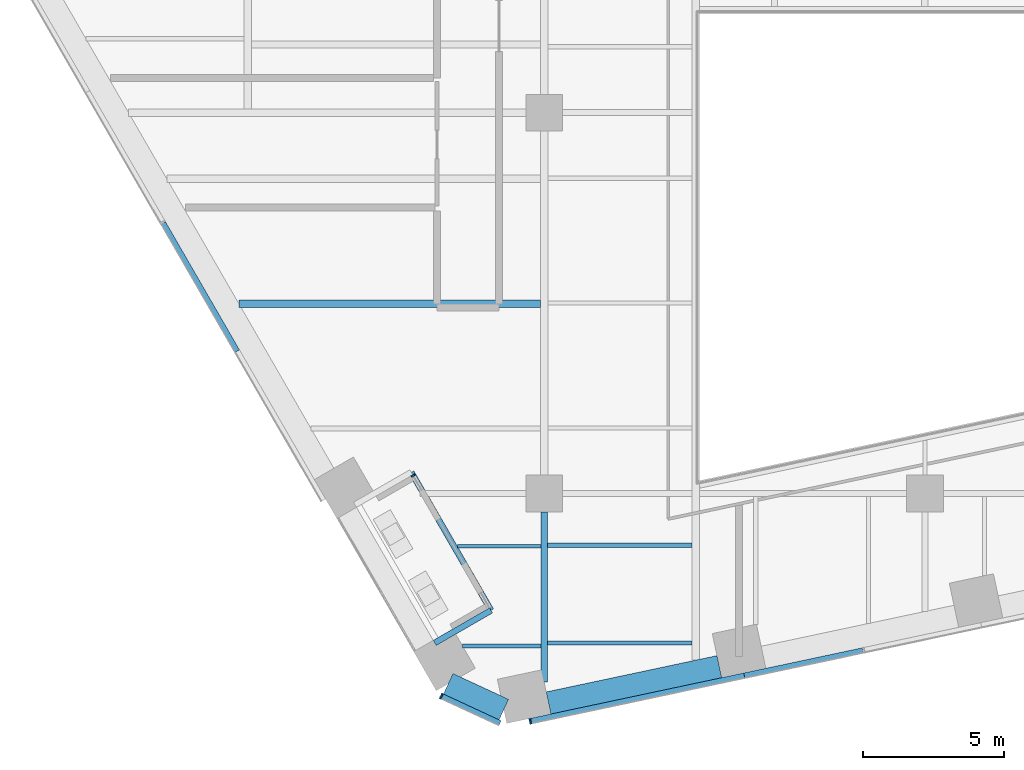
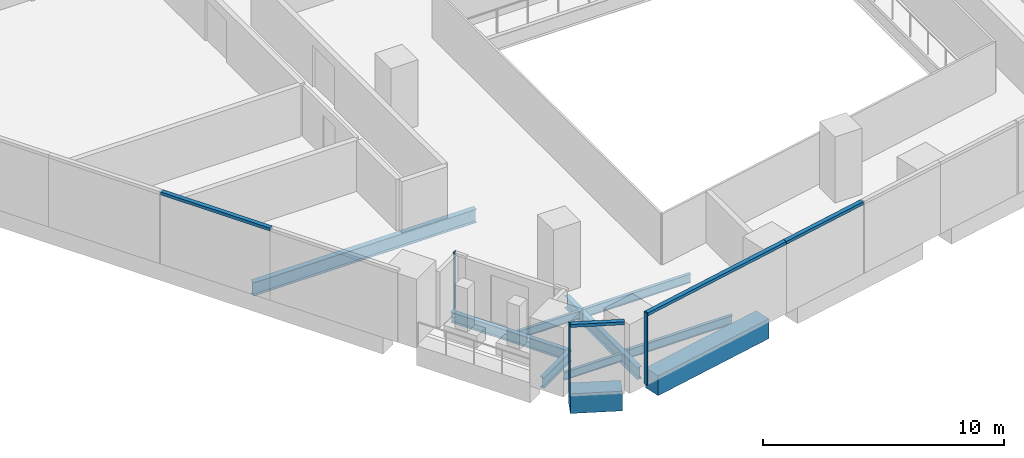
# One storey, part 2 of 31: 10 beams, 7 members, 4 elements without a shape of their own.
"""IFC4 building model written with IfcOpenShell, lengths in metres."""

from ifc_helpers import new_model, si_unit, direction, frame, origin, origin_2d, place, context, subcontext, project, spatial, rectangle, i_section, extrude, material, layer, layer_set, material_profile, profile_set, type_object, element, aggregate, save


model = new_model("IFC4")

# Units and contexts
model_context = context("Model", 3, precision=1e-05, world=origin(), true_north=direction((0.0, 1.0)))
body_context = subcontext(model_context, "Body", "Model", "MODEL_VIEW")
ifc_project = project(units=[si_unit("LENGTHUNIT", "METRE"), si_unit("AREAUNIT", "SQUARE_METRE"), si_unit("VOLUMEUNIT", "CUBIC_METRE"), si_unit("PLANEANGLEUNIT", "RADIAN"), si_unit("MASSUNIT", "GRAM", prefix="KILO")], contexts=[model_context])

# Site, building, storey
site_placement = place(None, origin())
site = spatial("IfcSite", under=ifc_project, at=site_placement, CompositionType="ELEMENT")
building_placement = place(site_placement, origin())
building = spatial("IfcBuilding", under=site, at=building_placement, Name="Isthmus Gate Tower", CompositionType="ELEMENT")
storey_placement = place(building_placement, frame((0.0, 0.0, 113.5)))
storey = spatial("IfcBuildingStorey", under=building, at=storey_placement, Name="L27", CompositionType="ELEMENT", Elevation=113.5)

# Curtain wall, member
ifc_material_1 = material(Name="Aluminium, pale champagne anodised", Category="aluminium")
ifc_layer_1 = layer(ifc_material_1, 0.199951171875)
ifc_layer_set_1 = layer_set([ifc_layer_1], Name="CW-1 UNITISED CURTAIN WALL 200 DEEP")
curtain_wall_type_1 = type_object("IfcCurtainWallType", Name="CW-1 UNITISED CURTAIN WALL 200 DEEP", PredefinedType="NOTDEFINED", material=ifc_layer_set_1)
curtain_wall_1_placement = place(storey_placement, origin())
curtain_wall_1 = element("IfcCurtainWall", 1, at=curtain_wall_1_placement, inside=storey, type_object=curtain_wall_type_1, Name="CW-1 SW-S L27", PredefinedType="NOTDEFINED")
ifc_material_2 = material(Name="Aluminium, pale champagne anodised", Category="aluminium")
ifc_material_profile_1 = material_profile(ifc_material_2, rectangle(XDim=0.06005859375, YDim=0.199951171875, at=origin_2d()), Name="60x200")
ifc_profile_set_1 = profile_set([ifc_material_profile_1], Name="Aluminium, pale champagne anodised")
member_type_1 = type_object("IfcMemberType", Name="CW-1 MULLION 60 X 200", PredefinedType="MULLION", material=ifc_profile_set_1)
member_1_placement = place(storey_placement, frame((-17.14794921875, -34.184814453125, 0.0), z_axis=(0.0, 0.0, 1.0), x_axis=(0.907256261367, -0.420578264073, 0.0)))
member_1 = element("IfcMember", 2, at=member_1_placement, type_object=member_type_1, Name="CW-1 mullion", PredefinedType="MULLION", context=body_context, shape_type="SweptSolid", body=[
    extrude(rectangle(XDim=0.06005859375, YDim=0.199951171875, at=origin_2d()), origin(), (0.0, 0.0, 1.0), 3.64990234375),
])

curtain_wall_2_placement = place(storey_placement, origin())
curtain_wall_2 = element("IfcCurtainWall", 3, at=curtain_wall_2_placement, inside=storey, type_object=curtain_wall_type_1, Name="CW-1 S L27", PredefinedType="NOTDEFINED")
member_2_placement = place(storey_placement, frame((-13.992919921875, -35.076416015625, 0.0), z_axis=(0.0, 0.0, 1.0), x_axis=(0.978147600734, 0.207911690818, 0.0)))
member_2 = element("IfcMember", 4, at=member_2_placement, type_object=member_type_1, Name="CW-1 mullion", PredefinedType="MULLION", context=body_context, shape_type="SweptSolid", body=[
    extrude(rectangle(XDim=0.06005859375, YDim=0.199951171875, at=origin_2d()), origin(), (0.0, 0.0, 1.0), 3.64990234375),
])

curtain_wall_3_placement = place(storey_placement, origin())
curtain_wall_3 = element("IfcCurtainWall", 5, at=curtain_wall_3_placement, inside=storey, type_object=curtain_wall_type_1, Name="CW-1 SW L27", PredefinedType="NOTDEFINED")
ifc_material_3 = material(Name="Aluminium, pale champagne anodised", Category="aluminium")
ifc_material_profile_2 = material_profile(ifc_material_3, rectangle(XDim=0.199951171875, YDim=0.14990234375, at=origin_2d()), Name="200x150")
ifc_profile_set_2 = profile_set([ifc_material_profile_2], Name="Aluminium, pale champagne anodised")
member_type_2 = type_object("IfcMemberType", Name="CW-1 TRANSOM 200 X 150", PredefinedType="USERDEFINED", material=ifc_profile_set_2)
member_3_placement = place(storey_placement, frame((-27.01171875, -17.414306640625, 3.574951171875), z_axis=(0.499996256241, -0.866027565234, 0.0), x_axis=(0.866027565234, 0.499996256241, 0.0)))
member_3 = element("IfcMember", 6, at=member_3_placement, type_object=member_type_2, Name="CW-1 transom", ObjectType="TRANSOM", PredefinedType="USERDEFINED", context=body_context, shape_type="SweptSolid", body=[
    extrude(rectangle(XDim=0.199951171875, YDim=0.14990234375, at=origin_2d()), origin(), (0.0, 0.0, 1.0), 5.24853515625),
])
aggregate(curtain_wall_3, [member_3])

# Member
member_4_placement = place(storey_placement, frame((-17.120849609375, -34.197509765625, 3.574951171875), z_axis=(0.907246225564, -0.420599912268, 0.0), x_axis=(0.420599912268, 0.907246225564, 0.0)))
member_4 = element("IfcMember", 7, at=member_4_placement, type_object=member_type_2, Name="CW-1 transom", ObjectType="TRANSOM", PredefinedType="USERDEFINED", context=body_context, shape_type="SweptSolid", body=[
    extrude(rectangle(XDim=0.199951171875, YDim=0.14990234375, at=origin_2d()), origin(), (0.0, 0.0, 1.0), 2.258544921875),
])

aggregate(curtain_wall_1, [member_1, member_4])

member_5_placement = place(storey_placement, frame((-13.963623046875, -35.0703125, 3.574951171875), z_axis=(0.97815050153, 0.207898043176, 0.0), x_axis=(-0.207898043176, 0.97815050153, 0.0)))
member_5 = element("IfcMember", 8, at=member_5_placement, type_object=member_type_2, Name="CW-1 transom", ObjectType="TRANSOM", PredefinedType="USERDEFINED", context=body_context, shape_type="SweptSolid", body=[
    extrude(rectangle(XDim=0.199951171875, YDim=0.14990234375, at=origin_2d()), origin(), (0.0, 0.0, 1.0), 7.7294921875),
])

member_6_placement = place(storey_placement, frame((-6.403076171875, -33.46337890625, 3.574951171875), z_axis=(0.97813890815, 0.207952582007, 0.0), x_axis=(-0.207952582007, 0.97813890815, 0.0)))
member_6 = element("IfcMember", 9, at=member_6_placement, type_object=member_type_2, Name="CW-1 transom", ObjectType="TRANSOM", PredefinedType="USERDEFINED", context=body_context, shape_type="SweptSolid", body=[
    extrude(rectangle(XDim=0.199951171875, YDim=0.14990234375, at=origin_2d()), origin(), (0.0, 0.0, 1.0), 4.294677734375),
])

aggregate(curtain_wall_2, [member_2, member_5, member_6])

# Curtain wall, member
ifc_material_4 = material(Name="Aluminium, pale champagne anodised", Category="aluminium")
ifc_layer_2 = layer(ifc_material_4, 0.14990234375)
ifc_layer_set_2 = layer_set([ifc_layer_2], Name="CW-6 LOGGIA BACK WALL GLAZING 150 DEEP")
curtain_wall_type_2 = type_object("IfcCurtainWallType", Name="CW-6 LOGGIA BACK WALL GLAZING 150 DEEP", PredefinedType="NOTDEFINED", material=ifc_layer_set_2)
curtain_wall_4_placement = place(storey_placement, origin())
curtain_wall_4 = element("IfcCurtainWall", 10, at=curtain_wall_4_placement, inside=storey, type_object=curtain_wall_type_2, Name="CW-6 SW L27", PredefinedType="NOTDEFINED")
ifc_material_5 = material(Name="Aluminium, pale champagne anodised", Category="aluminium")
ifc_material_profile_3 = material_profile(ifc_material_5, rectangle(XDim=0.06005859375, YDim=0.14990234375, at=origin_2d()), Name="60x150")
ifc_profile_set_3 = profile_set([ifc_material_profile_3], Name="Aluminium, pale champagne anodised")
member_type_3 = type_object("IfcMemberType", Name="CW-6 MULLION 60 X 150", PredefinedType="MULLION", material=ifc_profile_set_3)
member_7_placement = place(storey_placement, frame((-18.146728515625, -26.368896484375, 0.0), z_axis=(0.0, 0.0, 1.0), x_axis=(0.5, -0.866025403784, 0.0)))
member_7 = element("IfcMember", 11, at=member_7_placement, type_object=member_type_3, Name="CW-6 mullion", PredefinedType="MULLION", context=body_context, shape_type="SweptSolid", body=[
    extrude(rectangle(XDim=0.06005859375, YDim=0.14990234375, at=origin_2d()), origin(), (0.0, 0.0, 1.0), 2.89990234375),
])
aggregate(curtain_wall_4, [member_7])

# Beams
ifc_material_6 = material(Name="Concrete f'c 70 MPa", Category="concrete")
ifc_material_profile_4 = material_profile(ifc_material_6, rectangle(XDim=0.800048828125, YDim=1.0, at=origin_2d()), Name="RC 800X1000")
ifc_profile_set_4 = profile_set([ifc_material_profile_4], Name="Concrete f'c 70 MPa")
beam_type_1 = type_object("IfcBeamType", Name="RC SPANDREL 800 X 1000", PredefinedType="SPANDREL", material=ifc_profile_set_4)
beam_1_placement = place(storey_placement, frame((-7.28955078125, -33.140625, -0.5), z_axis=(-0.978155442329, -0.207874795591, 0.0), x_axis=(0.207874795591, -0.978155442329, 0.0)))
element("IfcBeam", 12, at=beam_1_placement, inside=storey, type_object=beam_type_1, Name="str-spandrel-L27-13", PredefinedType="SPANDREL", context=body_context, shape_type="SweptSolid", body=[
    extrude(rectangle(XDim=0.800048828125, YDim=1.0, at=origin_2d()), origin(), (0.0, 0.0, 1.0), 6.189453125),
])
beam_2_placement = place(storey_placement, frame((-14.929443359375, -34.662109375, -0.5), z_axis=(-0.907290744498, 0.420503870314, 0.0), x_axis=(-0.420503870314, -0.907290744498, 0.0)))
element("IfcBeam", 13, at=beam_2_placement, inside=storey, type_object=beam_type_1, Name="str-spandrel-L27-14", PredefinedType="SPANDREL", context=body_context, shape_type="SweptSolid", body=[
    extrude(rectangle(XDim=0.800048828125, YDim=1.0, at=origin_2d()), origin(), (0.0, 0.0, 1.0), 2.173095703125),
])
ifc_material_7 = material(Name="Structural steel ASTM A992 Gr 50", Category="steel")
ifc_material_profile_5 = material_profile(ifc_material_7, i_section(OverallWidth=0.1396484375, OverallDepth=0.4033203125, WebThickness=0.00634765625, FlangeThickness=0.010986328125, at=origin_2d()), Name="W16X31")
ifc_profile_set_5 = profile_set([ifc_material_profile_5], Name="Structural steel ASTM A992 Gr 50")
beam_type_2 = type_object("IfcBeamType", Name="STEEL FLOOR BEAM W16X31", PredefinedType="JOIST", material=ifc_profile_set_5)
beam_3_placement = place(storey_placement, frame((-16.393310546875, -32.406005859375, -0.3515625), z_axis=(1.0, 0.0, 0.0), x_axis=(0.0, 1.0, 0.0)))
element("IfcBeam", 14, at=beam_3_placement, inside=storey, type_object=beam_type_2, Name="str-beam-L27-12-00", PredefinedType="JOIST", context=body_context, shape_type="SweptSolid", body=[
    extrude(i_section(OverallWidth=0.1396484375, OverallDepth=0.4033203125, WebThickness=0.00634765625, FlangeThickness=0.010986328125, at=origin_2d()), origin(), (0.0, 0.0, 1.0), 2.779052734375),
])
beam_4_placement = place(storey_placement, frame((-16.5751953125, -28.871826171875, -0.3515625), z_axis=(1.0, 0.0, 0.0), x_axis=(0.0, 1.0, 0.0)))
element("IfcBeam", 15, at=beam_4_placement, inside=storey, type_object=beam_type_2, Name="str-beam-L27-12-01", PredefinedType="JOIST", context=body_context, shape_type="SweptSolid", body=[
    extrude(i_section(OverallWidth=0.1396484375, OverallDepth=0.4033203125, WebThickness=0.00634765625, FlangeThickness=0.010986328125, at=origin_2d()), origin(), (0.0, 0.0, 1.0), 2.9609375),
])
ifc_material_8 = material(Name="Structural steel ASTM A992 Gr 50", Category="steel")
ifc_material_profile_6 = material_profile(ifc_material_8, i_section(OverallWidth=0.15234375, OverallDepth=0.45068359375, WebThickness=0.0078125, FlangeThickness=0.010986328125, at=origin_2d()), Name="W18X35")
ifc_profile_set_6 = profile_set([ifc_material_profile_6], Name="Structural steel ASTM A992 Gr 50")
beam_type_3 = type_object("IfcBeamType", Name="STEEL FLOOR BEAM W18X35", PredefinedType="JOIST", material=ifc_profile_set_6)
for number, where, z_axis, x_axis, name in (
    (16, (-13.3857421875, -32.30322265625, -0.37548828125), (1.0, 0.0, 0.0), (0.0, 1.0, 0.0), "str-beam-L27-13-00"),
    (17, (-13.3857421875, -28.837646484375, -0.37548828125), (1.0, 0.0, 0.0), (0.0, 1.0, 0.0), "str-beam-L27-13-01"),
):
    element("IfcBeam", number, at=place(storey_placement, frame(where, z_axis=z_axis, x_axis=x_axis)), inside=storey, type_object=beam_type_3, Name=name, PredefinedType="JOIST", context=body_context, shape_type="SweptSolid", body=[
        extrude(i_section(OverallWidth=0.15234375, OverallDepth=0.45068359375, WebThickness=0.0078125, FlangeThickness=0.010986328125, at=origin_2d()), origin(), (0.0, 0.0, 1.0), 5.119140625),
    ])
ifc_material_9 = material(Name="Structural steel ASTM A992 Gr 50", Category="steel")
ifc_material_profile_7 = material_profile(ifc_material_9, i_section(OverallWidth=0.25390625, OverallDepth=0.679443359375, WebThickness=0.010986328125, FlangeThickness=0.015869140625, at=origin_2d()), Name="W27X84")
ifc_profile_set_7 = profile_set([ifc_material_profile_7], Name="Structural steel ASTM A992 Gr 50")
beam_type_4 = type_object("IfcBeamType", Name="STEEL FLOOR BEAM W27X84", PredefinedType="JOIST", material=ifc_profile_set_7)
beam_5_placement = place(storey_placement, frame((-24.322509765625, -20.2724609375, -0.48974609375), z_axis=(1.0, 0.0, 0.0), x_axis=(0.0, 1.0, 0.0)))
element("IfcBeam", 18, at=beam_5_placement, inside=storey, type_object=beam_type_4, Name="str-beam-L27-07-01", PredefinedType="JOIST", context=body_context, shape_type="SweptSolid", body=[
    extrude(i_section(OverallWidth=0.25390625, OverallDepth=0.679443359375, WebThickness=0.010986328125, FlangeThickness=0.015869140625, at=origin_2d()), origin(), (0.0, 0.0, 1.0), 10.690673828125),
])
ifc_material_10 = material(Name="Structural steel ASTM A992 Gr 50", Category="steel")
ifc_material_profile_8 = material_profile(ifc_material_10, i_section(OverallWidth=0.228515625, OverallDepth=0.603271484375, WebThickness=0.010986328125, FlangeThickness=0.014404296875, at=origin_2d()), Name="W24X68")
ifc_profile_set_8 = profile_set([ifc_material_profile_8], Name="Structural steel ASTM A992 Gr 50")
beam_type_5 = type_object("IfcBeamType", Name="STEEL GIRDER W24X68", PredefinedType="BEAM", material=ifc_profile_set_8)
beam_6_placement = place(storey_placement, frame((-13.5, -33.69189453125, -0.45166015625), z_axis=(0.0, 1.0, 0.0), x_axis=(-1.0, 0.0, 0.0)))
element("IfcBeam", 19, at=beam_6_placement, inside=storey, type_object=beam_type_5, Name="str-girder-L27-24", PredefinedType="BEAM", context=body_context, shape_type="SweptSolid", body=[
    extrude(i_section(OverallWidth=0.228515625, OverallDepth=0.603271484375, WebThickness=0.010986328125, FlangeThickness=0.014404296875, at=origin_2d()), origin(), (0.0, 0.0, 1.0), 6.0419921875),
])
ifc_material_11 = material(Name="Structural steel ASTM A992 Gr 50", Category="steel")
ifc_material_profile_9 = material_profile(ifc_material_11, i_section(OverallWidth=0.20947265625, OverallDepth=0.533447265625, WebThickness=0.009521484375, FlangeThickness=0.015869140625, at=origin_2d()), Name="W21X62")
ifc_profile_set_9 = profile_set([ifc_material_profile_9], Name="Structural steel ASTM A992 Gr 50")
beam_type_6 = type_object("IfcBeamType", Name="STEEL TRIMMER W21X62", PredefinedType="BEAM", material=ifc_profile_set_9)
beam_7_placement = place(storey_placement, frame((-18.2099609375, -26.249755859375, -0.416748046875), z_axis=(0.499980405277, -0.866036716508, 0.0), x_axis=(0.866036716508, 0.499980405277, 0.0)))
element("IfcBeam", 20, at=beam_7_placement, inside=storey, type_object=beam_type_6, Name="str-loggiatrim-L27-03-B", PredefinedType="BEAM", context=body_context, shape_type="SweptSolid", body=[
    extrude(i_section(OverallWidth=0.20947265625, OverallDepth=0.533447265625, WebThickness=0.009521484375, FlangeThickness=0.015869140625, at=origin_2d()), origin(), (0.0, 0.0, 1.0), 5.653076171875),
])
beam_8_placement = place(storey_placement, frame((-17.37939453125, -32.2978515625, -0.416748046875), z_axis=(0.866017993231, 0.500012835235, 0.0), x_axis=(-0.500012835235, 0.866017993231, 0.0)))
element("IfcBeam", 21, at=beam_8_placement, inside=storey, type_object=beam_type_6, Name="str-loggiatrim-L27-03-C", PredefinedType="BEAM", context=body_context, shape_type="SweptSolid", body=[
    extrude(i_section(OverallWidth=0.20947265625, OverallDepth=0.533447265625, WebThickness=0.009521484375, FlangeThickness=0.015869140625, at=origin_2d()), origin(), (0.0, 0.0, 1.0), 2.3046875),
])

save(model, "model.ifc")
